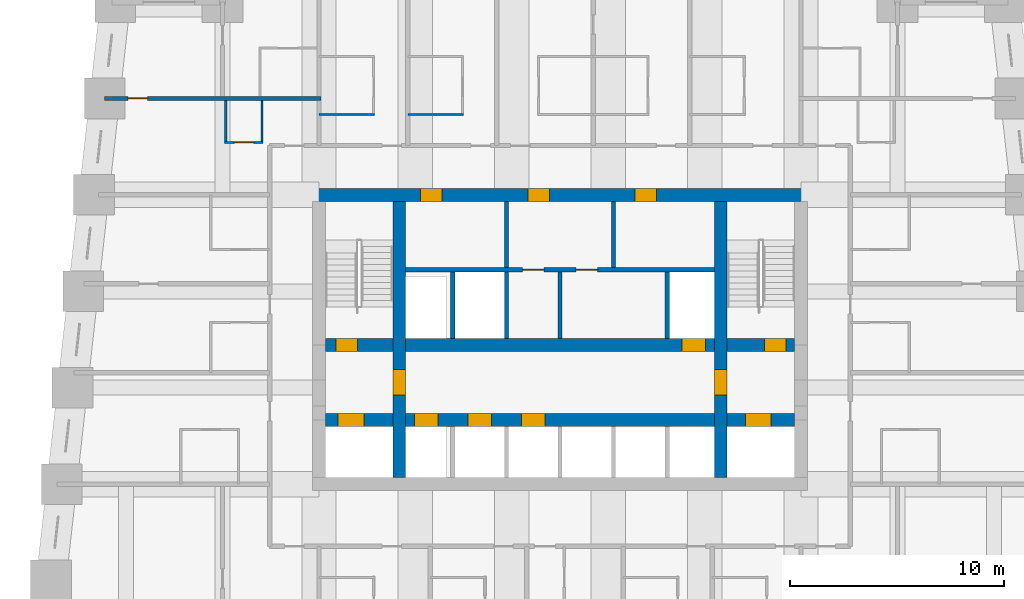
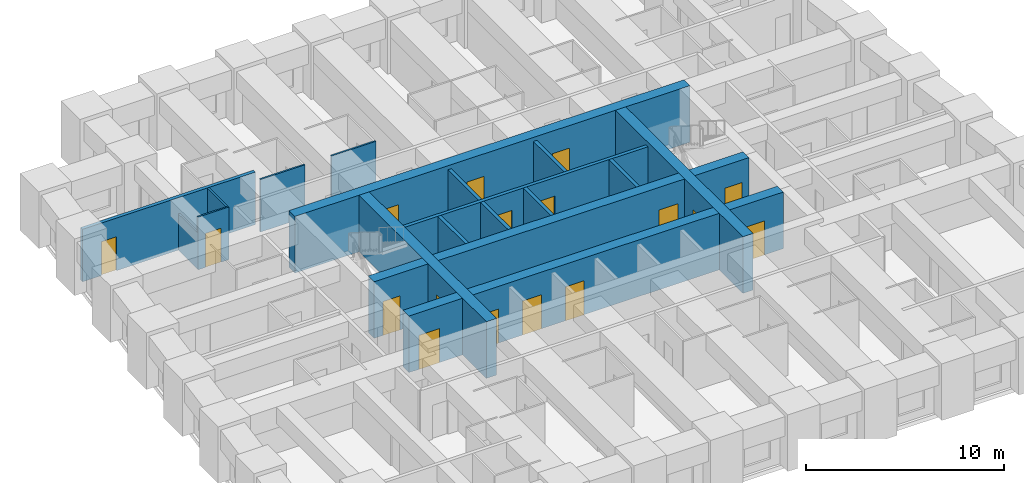
# One storey, part 4 of 8: 18 walls, 17 doors, 17 openings.
"""IFC4 building model written with IfcOpenShell, lengths in metres."""

from ifc_helpers import new_model, si_unit, direction, frame, frame_2d, origin, place, context, subcontext, project, spatial, rectangle, extrude, material, layer, layer_set, type_object, element, fill, save


model = new_model("IFC4")

# Units and contexts
model_context = context("Model", 3, precision=1e-05, world=origin(), true_north=direction((0.0, 1.0)))
body_context = subcontext(model_context, "Body", "Model", "MODEL_VIEW")
ifc_project = project(units=[si_unit("LENGTHUNIT", "METRE"), si_unit("AREAUNIT", "SQUARE_METRE"), si_unit("VOLUMEUNIT", "CUBIC_METRE"), si_unit("PLANEANGLEUNIT", "RADIAN"), si_unit("MASSUNIT", "GRAM", prefix="KILO")], contexts=[model_context])

# Site, building, storey
site_placement = place(None, origin())
site = spatial("IfcSite", under=ifc_project, at=site_placement, CompositionType="ELEMENT")
building_placement = place(site_placement, origin())
building = spatial("IfcBuilding", under=site, at=building_placement, Name="Kilele Tower Hotel", CompositionType="ELEMENT")
storey_placement = place(building_placement, frame((0.0, 0.0, 40.199951171875)))
storey = spatial("IfcBuildingStorey", under=building, at=storey_placement, Name="L08", CompositionType="ELEMENT", Elevation=40.199951171875)

# Walls
ifc_material_1 = material(Name="Moisture-resistant board")
ifc_layer_1 = layer(ifc_material_1, 0.10009765625)
ifc_layer_set_1 = layer_set([ifc_layer_1], Name="Moisture-resistant board")
wall_type_1 = type_object("IfcWallType", Name="Bathroom partition 100", PredefinedType="PLUMBINGWALL", material=ifc_layer_set_1)
for number, where, z_axis, x_axis, name in (
    (1, (13.5, 30.75, 0.0), (0.0, 0.0, 1.0), (1.0, 0.0, 0.0), "Bathroom partition 100 L08"),
    (2, (17.64990234375, 30.75, 0.0), (0.0, 0.0, 1.0), (1.0, 0.0, 0.0), "Bathroom partition 100 L08"),
):
    element("IfcWall", number, at=place(storey_placement, frame(where, z_axis=z_axis, x_axis=x_axis)), inside=storey, type_object=wall_type_1, Name=name, PredefinedType="PLUMBINGWALL", context=body_context, shape_type="SweptSolid", body=[
        extrude(rectangle(XDim=2.60009765625, YDim=0.10009765625, at=frame_2d((1.300048828125, 0.0))), origin(), (0.0, 0.0, 1.0), 3.25),
    ])
wall_1_placement = place(storey_placement, frame((9.14990234375, 31.39990234375, 0.0), z_axis=(0.0, 0.0, 1.0), x_axis=(0.0, -1.0, 0.0)))
element("IfcWall", 3, at=wall_1_placement, inside=storey, type_object=wall_type_1, Name="Bathroom partition 100 L08", PredefinedType="PLUMBINGWALL", context=body_context, shape_type="SweptSolid", body=[
    extrude(rectangle(XDim=2.0, YDim=0.10009765625, at=frame_2d((1.0, 0.0))), origin(), (0.0, 0.0, 1.0), 2.25),
])
wall_2_placement = place(storey_placement, frame((10.85009765625, 31.39990234375, 0.0), z_axis=(0.0, 0.0, 1.0), x_axis=(0.0, -1.0, 0.0)))
element("IfcWall", 4, at=wall_2_placement, inside=storey, type_object=wall_type_1, Name="Bathroom partition 100 L08", PredefinedType="PLUMBINGWALL", context=body_context, shape_type="SweptSolid", body=[
    extrude(rectangle(XDim=2.0, YDim=0.10009765625, at=frame_2d((1.0, 0.0))), origin(), (0.0, 0.0, 1.0), 3.25),
])

# Wall, opening, door
wall_3_placement = place(storey_placement, frame((10.89990234375, 29.449951171875, 0.0), z_axis=(0.0, 0.0, 1.0), x_axis=(-1.0, 0.0, 0.0)))
wall_3 = element("IfcWall", 5, at=wall_3_placement, inside=storey, type_object=wall_type_1, Name="Bathroom partition 100 L08", PredefinedType="PLUMBINGWALL", context=body_context, shape_type="SweptSolid", body=[
    extrude(rectangle(XDim=1.7998046875, YDim=0.10009765625, at=frame_2d((0.89990234375, 0.0))), origin(), (0.0, 0.0, 1.0), 3.25),
])
opening_1_placement = place(wall_3_placement, frame((0.449951171875, 0.0, 0.0)))
opening_1 = element("IfcOpeningElement", 6, at=opening_1_placement, cuts=wall_3, Name="Opening D2A", PredefinedType="OPENING", context=body_context, shape_type="SweptSolid", body=[
    extrude(rectangle(XDim=0.89990234375, YDim=2.10009765625, at=frame_2d((0.449951171875, 1.050048828125))), frame((0.0, 0.06005859375, 0.0), z_axis=(0.0, -1.0, 0.0), x_axis=(1.0, 0.0, 0.0)), (0.0, 0.0, 1.0), 0.1201171875),
])
ifc_material_2 = material(Name="Timber door leaf in hardwood frame", Category="wood")
door_type_1 = type_object("IfcDoorType", Name="Bathroom door 900", OperationType="SINGLE_SWING_LEFT", PredefinedType="DOOR", material=ifc_material_2)
door_1_placement = place(opening_1_placement, origin())
door_1 = element("IfcDoor", 7, at=door_1_placement, inside=storey, type_object=door_type_1, Name="Bathroom door 0826P", OperationType="SINGLE_SWING_LEFT", OverallHeight=2.10009765625, OverallWidth=0.89990234375, PredefinedType="DOOR", context=body_context, shape_type="SweptSolid", body=[
    extrude(rectangle(XDim=0.89990234375, YDim=2.10009765625, at=frame_2d((0.449951171875, 1.050048828125))), frame((0.0, 0.02490234375, 0.0), z_axis=(0.0, -1.0, 0.0), x_axis=(1.0, 0.0, 0.0)), (0.0, 0.0, 1.0), 0.050048828125),
])
fill(opening_1, door_1)

# Wall, openings, doors
ifc_material_3 = material(Name="Concrete C60/75", Category="concrete")
ifc_layer_2 = layer(ifc_material_3, 0.60009765625)
ifc_layer_set_2 = layer_set([ifc_layer_2], Name="Concrete C60/75")
wall_type_2 = type_object("IfcWallType", Name="Core wall 600 C60/75", PredefinedType="SHEAR", material=ifc_layer_set_2)
wall_4_placement = place(storey_placement, frame((36.300048828125, 27.0, 0.0), z_axis=(0.0, 0.0, 1.0), x_axis=(-1.0, 0.0, 0.0)))
wall_4 = element("IfcWall", 8, at=wall_4_placement, inside=storey, type_object=wall_type_2, Name="Core wall N L08", PredefinedType="SHEAR", context=body_context, shape_type="SweptSolid", body=[
    extrude(rectangle(XDim=23.10009765625, YDim=0.60009765625, at=frame_2d((11.550048828125, 0.0))), origin(), (0.0, 0.0, 1.0), 3.5),
])
opening_2_placement = place(wall_4_placement, frame((17.050048828125, 0.0, 0.0)))
opening_2 = element("IfcOpeningElement", 9, at=opening_2_placement, cuts=wall_4, Name="Opening D6", PredefinedType="OPENING", context=body_context, shape_type="SweptSolid", body=[
    extrude(rectangle(XDim=1.0, YDim=2.10009765625, at=frame_2d((0.5, 1.050048828125))), frame((0.0, 0.31005859375, 0.0), z_axis=(0.0, -1.0, 0.0), x_axis=(1.0, 0.0, 0.0)), (0.0, 0.0, 1.0), 0.6201171875),
])
opening_3_placement = place(wall_4_placement, frame((12.050048828125, 0.0, 0.0)))
opening_3 = element("IfcOpeningElement", 10, at=opening_3_placement, cuts=wall_4, Name="Opening D6", PredefinedType="OPENING", context=body_context, shape_type="SweptSolid", body=[
    extrude(rectangle(XDim=1.0, YDim=2.10009765625, at=frame_2d((0.5, 1.050048828125))), frame((0.0, 0.31005859375, 0.0), z_axis=(0.0, -1.0, 0.0), x_axis=(1.0, 0.0, 0.0)), (0.0, 0.0, 1.0), 0.6201171875),
])
opening_4_placement = place(wall_4_placement, frame((7.050048828125, 0.0, 0.0)))
opening_4 = element("IfcOpeningElement", 11, at=opening_4_placement, cuts=wall_4, Name="Opening D6", PredefinedType="OPENING", context=body_context, shape_type="SweptSolid", body=[
    extrude(rectangle(XDim=1.0, YDim=2.10009765625, at=frame_2d((0.5, 1.050048828125))), frame((0.0, 0.31005859375, 0.0), z_axis=(0.0, -1.0, 0.0), x_axis=(1.0, 0.0, 0.0)), (0.0, 0.0, 1.0), 0.6201171875),
])
ifc_material_4 = material(Name="Timber door leaf in hardwood frame", Category="wood")
door_type_2 = type_object("IfcDoorType", Name="Riser door 1000", OperationType="SINGLE_SWING_LEFT", PredefinedType="DOOR", material=ifc_material_4)
door_2_placement = place(opening_2_placement, origin())
door_2 = element("IfcDoor", 12, at=door_2_placement, inside=storey, type_object=door_type_2, Name="Service riser door L08", OperationType="SINGLE_SWING_RIGHT", OverallHeight=2.10009765625, OverallWidth=1.0, PredefinedType="DOOR", context=body_context, shape_type="SweptSolid", body=[
    extrude(rectangle(XDim=1.0, YDim=2.10009765625, at=frame_2d((0.5, 1.050048828125))), frame((0.0, 0.2998046875, 0.0), z_axis=(0.0, -1.0, 0.0), x_axis=(1.0, 0.0, 0.0)), (0.0, 0.0, 1.0), 0.599609375),
])
fill(opening_2, door_2)
door_3_placement = place(opening_3_placement, origin())
door_3 = element("IfcDoor", 13, at=door_3_placement, inside=storey, type_object=door_type_2, Name="Housekeeping store door L08", OperationType="SINGLE_SWING_RIGHT", OverallHeight=2.10009765625, OverallWidth=1.0, PredefinedType="DOOR", context=body_context, shape_type="SweptSolid", body=[
    extrude(rectangle(XDim=1.0, YDim=2.10009765625, at=frame_2d((0.5, 1.050048828125))), frame((0.0, 0.2998046875, 0.0), z_axis=(0.0, -1.0, 0.0), x_axis=(1.0, 0.0, 0.0)), (0.0, 0.0, 1.0), 0.599609375),
])
fill(opening_3, door_3)
door_4_placement = place(opening_4_placement, origin())
door_4 = element("IfcDoor", 14, at=door_4_placement, inside=storey, type_object=door_type_2, Name="Electrical riser door L08", OperationType="SINGLE_SWING_RIGHT", OverallHeight=2.10009765625, OverallWidth=1.0, PredefinedType="DOOR", context=body_context, shape_type="SweptSolid", body=[
    extrude(rectangle(XDim=1.0, YDim=2.10009765625, at=frame_2d((0.5, 1.050048828125))), frame((0.0, 0.2998046875, 0.0), z_axis=(0.0, -1.0, 0.0), x_axis=(1.0, 0.0, 0.0)), (0.0, 0.0, 1.0), 0.599609375),
])
fill(opening_4, door_4)

# Wall, opening, door
wall_5_placement = place(storey_placement, frame((17.25, 13.800048828125, 0.0), z_axis=(0.0, 0.0, 1.0), x_axis=(0.0, 1.0, 0.0)))
wall_5 = element("IfcWall", 15, at=wall_5_placement, inside=storey, type_object=wall_type_2, Name="Core wall IW L08", PredefinedType="SHEAR", context=body_context, shape_type="SweptSolid", body=[
    extrude(rectangle(XDim=12.89990234375, YDim=0.60009765625, at=frame_2d((6.449951171875, 0.0))), origin(), (0.0, 0.0, 1.0), 3.5),
])
opening_5_placement = place(wall_5_placement, frame((3.85009765625, 0.0, 0.0)))
opening_5 = element("IfcOpeningElement", 16, at=opening_5_placement, cuts=wall_5, Name="Opening D4", PredefinedType="OPENING", context=body_context, shape_type="SweptSolid", body=[
    extrude(rectangle(XDim=1.199951171875, YDim=2.10009765625, at=frame_2d((0.60009765625, 1.050048828125))), frame((0.0, 0.31005859375, 0.0), z_axis=(0.0, -1.0, 0.0), x_axis=(1.0, 0.0, 0.0)), (0.0, 0.0, 1.0), 0.6201171875),
])
ifc_material_5 = material(Name="Timber door leaf in hardwood frame", Category="wood")
door_type_3 = type_object("IfcDoorType", Name="Firefighting lobby door 1200", OperationType="SINGLE_SWING_LEFT", PredefinedType="DOOR", material=ifc_material_5)
door_5_placement = place(opening_5_placement, origin())
door_5 = element("IfcDoor", 17, at=door_5_placement, inside=storey, type_object=door_type_3, Name="Lobby door L08", OperationType="SINGLE_SWING_LEFT", OverallHeight=2.10009765625, OverallWidth=1.199951171875, PredefinedType="DOOR", context=body_context, shape_type="SweptSolid", body=[
    extrude(rectangle(XDim=1.199951171875, YDim=2.10009765625, at=frame_2d((0.60009765625, 1.050048828125))), frame((0.0, 0.2998046875, 0.0), z_axis=(0.0, -1.0, 0.0), x_axis=(1.0, 0.0, 0.0)), (0.0, 0.0, 1.0), 0.599609375),
])
fill(opening_5, door_5)

wall_6_placement = place(storey_placement, frame((32.25, 13.800048828125, 0.0), z_axis=(0.0, 0.0, 1.0), x_axis=(0.0, 1.0, 0.0)))
wall_6 = element("IfcWall", 18, at=wall_6_placement, inside=storey, type_object=wall_type_2, Name="Core wall IE L08", PredefinedType="SHEAR", context=body_context, shape_type="SweptSolid", body=[
    extrude(rectangle(XDim=12.89990234375, YDim=0.60009765625, at=frame_2d((6.449951171875, 0.0))), origin(), (0.0, 0.0, 1.0), 3.5),
])
opening_6_placement = place(wall_6_placement, frame((5.050048828125, 0.0, 0.0), z_axis=(0.0, 0.0, 1.0), x_axis=(-1.0, 0.0, 0.0)))
opening_6 = element("IfcOpeningElement", 19, at=opening_6_placement, cuts=wall_6, Name="Opening D4", PredefinedType="OPENING", context=body_context, shape_type="SweptSolid", body=[
    extrude(rectangle(XDim=1.199951171875, YDim=2.10009765625, at=frame_2d((0.60009765625, 1.050048828125))), frame((0.0, 0.31005859375, 0.0), z_axis=(0.0, -1.0, 0.0), x_axis=(1.0, 0.0, 0.0)), (0.0, 0.0, 1.0), 0.6201171875),
])
door_6_placement = place(opening_6_placement, origin())
door_6 = element("IfcDoor", 20, at=door_6_placement, inside=storey, type_object=door_type_3, Name="Lobby door L08", OperationType="SINGLE_SWING_RIGHT", OverallHeight=2.10009765625, OverallWidth=1.199951171875, PredefinedType="DOOR", context=body_context, shape_type="SweptSolid", body=[
    extrude(rectangle(XDim=1.199951171875, YDim=2.10009765625, at=frame_2d((0.60009765625, 1.050048828125))), frame((0.0, 0.2998046875, 0.0), z_axis=(0.0, -1.0, 0.0), x_axis=(1.0, 0.0, 0.0)), (0.0, 0.0, 1.0), 0.599609375),
])
fill(opening_6, door_6)

# Wall, openings, doors
wall_7_placement = place(storey_placement, frame((13.800048828125, 16.5, 0.0), z_axis=(0.0, 0.0, 1.0), x_axis=(1.0, 0.0, 0.0)))
wall_7 = element("IfcWall", 21, at=wall_7_placement, inside=storey, type_object=wall_type_2, Name="Core wall LS L08", PredefinedType="SHEAR", context=body_context, shape_type="SweptSolid", body=[
    extrude(rectangle(XDim=21.89990234375, YDim=0.60009765625, at=frame_2d((10.949951171875, 0.0))), origin(), (0.0, 0.0, 1.0), 3.5),
])
opening_7_placement = place(wall_7_placement, frame((4.14990234375, 0.0, 0.0)))
opening_7 = element("IfcOpeningElement", 22, at=opening_7_placement, cuts=wall_7, Name="Opening LD1", PredefinedType="OPENING", context=body_context, shape_type="SweptSolid", body=[
    extrude(rectangle(XDim=1.10009765625, YDim=2.10009765625, at=frame_2d((0.550048828125, 1.050048828125))), frame((0.0, 0.31005859375, 0.0), z_axis=(0.0, -1.0, 0.0), x_axis=(1.0, 0.0, 0.0)), (0.0, 0.0, 1.0), 0.6201171875),
])
opening_8_placement = place(wall_7_placement, frame((6.64990234375, 0.0, 0.0)))
opening_8 = element("IfcOpeningElement", 23, at=opening_8_placement, cuts=wall_7, Name="Opening LD1", PredefinedType="OPENING", context=body_context, shape_type="SweptSolid", body=[
    extrude(rectangle(XDim=1.10009765625, YDim=2.10009765625, at=frame_2d((0.550048828125, 1.050048828125))), frame((0.0, 0.31005859375, 0.0), z_axis=(0.0, -1.0, 0.0), x_axis=(1.0, 0.0, 0.0)), (0.0, 0.0, 1.0), 0.6201171875),
])
opening_9_placement = place(wall_7_placement, frame((9.14990234375, 0.0, 0.0)))
opening_9 = element("IfcOpeningElement", 24, at=opening_9_placement, cuts=wall_7, Name="Opening LD1", PredefinedType="OPENING", context=body_context, shape_type="SweptSolid", body=[
    extrude(rectangle(XDim=1.10009765625, YDim=2.10009765625, at=frame_2d((0.550048828125, 1.050048828125))), frame((0.0, 0.31005859375, 0.0), z_axis=(0.0, -1.0, 0.0), x_axis=(1.0, 0.0, 0.0)), (0.0, 0.0, 1.0), 0.6201171875),
])
opening_10_placement = place(wall_7_placement, frame((0.60009765625, 0.0, 0.0)))
opening_10 = element("IfcOpeningElement", 25, at=opening_10_placement, cuts=wall_7, Name="Opening LD2", PredefinedType="OPENING", context=body_context, shape_type="SweptSolid", body=[
    extrude(rectangle(XDim=1.199951171875, YDim=2.10009765625, at=frame_2d((0.60009765625, 1.050048828125))), frame((0.0, 0.31005859375, 0.0), z_axis=(0.0, -1.0, 0.0), x_axis=(1.0, 0.0, 0.0)), (0.0, 0.0, 1.0), 0.6201171875),
])
opening_11_placement = place(wall_7_placement, frame((19.60009765625, 0.0, 0.0)))
opening_11 = element("IfcOpeningElement", 26, at=opening_11_placement, cuts=wall_7, Name="Opening LD2", PredefinedType="OPENING", context=body_context, shape_type="SweptSolid", body=[
    extrude(rectangle(XDim=1.199951171875, YDim=2.10009765625, at=frame_2d((0.60009765625, 1.050048828125))), frame((0.0, 0.31005859375, 0.0), z_axis=(0.0, -1.0, 0.0), x_axis=(1.0, 0.0, 0.0)), (0.0, 0.0, 1.0), 0.6201171875),
])
ifc_material_6 = material(Name="Steel lift landing door", Category="steel")
door_type_4 = type_object("IfcDoorType", Name="Firefighting lift landing door 1200", OperationType="SLIDING_TO_LEFT", PredefinedType="DOOR", material=ifc_material_6)
door_7_placement = place(opening_10_placement, origin())
door_7 = element("IfcDoor", 27, at=door_7_placement, inside=storey, type_object=door_type_4, Name="Landing door FFW L08", OperationType="SLIDING_TO_LEFT", OverallHeight=2.10009765625, OverallWidth=1.199951171875, PredefinedType="DOOR", context=body_context, shape_type="SweptSolid", body=[
    extrude(rectangle(XDim=1.199951171875, YDim=2.10009765625, at=frame_2d((0.60009765625, 1.050048828125))), frame((0.0, 0.2998046875, 0.0), z_axis=(0.0, -1.0, 0.0), x_axis=(1.0, 0.0, 0.0)), (0.0, 0.0, 1.0), 0.599609375),
])
fill(opening_10, door_7)
door_8_placement = place(opening_11_placement, origin())
door_8 = element("IfcDoor", 28, at=door_8_placement, inside=storey, type_object=door_type_4, Name="Landing door FFE L08", OperationType="SLIDING_TO_LEFT", OverallHeight=2.10009765625, OverallWidth=1.199951171875, PredefinedType="DOOR", context=body_context, shape_type="SweptSolid", body=[
    extrude(rectangle(XDim=1.199951171875, YDim=2.10009765625, at=frame_2d((0.60009765625, 1.050048828125))), frame((0.0, 0.2998046875, 0.0), z_axis=(0.0, -1.0, 0.0), x_axis=(1.0, 0.0, 0.0)), (0.0, 0.0, 1.0), 0.599609375),
])
fill(opening_11, door_8)
ifc_material_7 = material(Name="Steel lift landing door", Category="steel")
door_type_5 = type_object("IfcDoorType", Name="Lift landing door 1100", OperationType="SLIDING_TO_LEFT", PredefinedType="DOOR", material=ifc_material_7)
door_9_placement = place(opening_7_placement, origin())
door_9 = element("IfcDoor", 29, at=door_9_placement, inside=storey, type_object=door_type_5, Name="Landing door L1 L08", OperationType="SLIDING_TO_LEFT", OverallHeight=2.10009765625, OverallWidth=1.10009765625, PredefinedType="DOOR", context=body_context, shape_type="SweptSolid", body=[
    extrude(rectangle(XDim=1.10009765625, YDim=2.10009765625, at=frame_2d((0.550048828125, 1.050048828125))), frame((0.0, 0.2998046875, 0.0), z_axis=(0.0, -1.0, 0.0), x_axis=(1.0, 0.0, 0.0)), (0.0, 0.0, 1.0), 0.599609375),
])
fill(opening_7, door_9)
door_10_placement = place(opening_8_placement, origin())
door_10 = element("IfcDoor", 30, at=door_10_placement, inside=storey, type_object=door_type_5, Name="Landing door L2 L08", OperationType="SLIDING_TO_LEFT", OverallHeight=2.10009765625, OverallWidth=1.10009765625, PredefinedType="DOOR", context=body_context, shape_type="SweptSolid", body=[
    extrude(rectangle(XDim=1.10009765625, YDim=2.10009765625, at=frame_2d((0.550048828125, 1.050048828125))), frame((0.0, 0.2998046875, 0.0), z_axis=(0.0, -1.0, 0.0), x_axis=(1.0, 0.0, 0.0)), (0.0, 0.0, 1.0), 0.599609375),
])
fill(opening_8, door_10)
door_11_placement = place(opening_9_placement, origin())
door_11 = element("IfcDoor", 31, at=door_11_placement, inside=storey, type_object=door_type_5, Name="Landing door L3 L08", OperationType="SLIDING_TO_LEFT", OverallHeight=2.10009765625, OverallWidth=1.10009765625, PredefinedType="DOOR", context=body_context, shape_type="SweptSolid", body=[
    extrude(rectangle(XDim=1.10009765625, YDim=2.10009765625, at=frame_2d((0.550048828125, 1.050048828125))), frame((0.0, 0.2998046875, 0.0), z_axis=(0.0, -1.0, 0.0), x_axis=(1.0, 0.0, 0.0)), (0.0, 0.0, 1.0), 0.599609375),
])
fill(opening_9, door_11)

wall_8_placement = place(storey_placement, frame((13.800048828125, 20.0, 0.0), z_axis=(0.0, 0.0, 1.0), x_axis=(1.0, 0.0, 0.0)))
wall_8 = element("IfcWall", 32, at=wall_8_placement, inside=storey, type_object=wall_type_2, Name="Core wall LN L08", PredefinedType="SHEAR", context=body_context, shape_type="SweptSolid", body=[
    extrude(rectangle(XDim=21.89990234375, YDim=0.60009765625, at=frame_2d((10.949951171875, 0.0))), origin(), (0.0, 0.0, 1.0), 3.5),
])
opening_12_placement = place(wall_8_placement, frame((0.5, 0.0, 0.0)))
opening_12 = element("IfcOpeningElement", 33, at=opening_12_placement, cuts=wall_8, Name="Opening D5", PredefinedType="OPENING", context=body_context, shape_type="SweptSolid", body=[
    extrude(rectangle(XDim=1.0, YDim=2.10009765625, at=frame_2d((0.5, 1.050048828125))), frame((0.0, 0.31005859375, 0.0), z_axis=(0.0, -1.0, 0.0), x_axis=(1.0, 0.0, 0.0)), (0.0, 0.0, 1.0), 0.6201171875),
])
opening_13_placement = place(wall_8_placement, frame((20.5, 0.0, 0.0)))
opening_13 = element("IfcOpeningElement", 34, at=opening_13_placement, cuts=wall_8, Name="Opening D5", PredefinedType="OPENING", context=body_context, shape_type="SweptSolid", body=[
    extrude(rectangle(XDim=1.0, YDim=2.10009765625, at=frame_2d((0.5, 1.050048828125))), frame((0.0, 0.31005859375, 0.0), z_axis=(0.0, -1.0, 0.0), x_axis=(1.0, 0.0, 0.0)), (0.0, 0.0, 1.0), 0.6201171875),
])
opening_14_placement = place(wall_8_placement, frame((16.64990234375, 0.0, 0.0)))
opening_14 = element("IfcOpeningElement", 35, at=opening_14_placement, cuts=wall_8, Name="Opening LD1", PredefinedType="OPENING", context=body_context, shape_type="SweptSolid", body=[
    extrude(rectangle(XDim=1.10009765625, YDim=2.10009765625, at=frame_2d((0.550048828125, 1.050048828125))), frame((0.0, 0.31005859375, 0.0), z_axis=(0.0, -1.0, 0.0), x_axis=(1.0, 0.0, 0.0)), (0.0, 0.0, 1.0), 0.6201171875),
])
door_12_placement = place(opening_14_placement, origin())
door_12 = element("IfcDoor", 36, at=door_12_placement, inside=storey, type_object=door_type_5, Name="Landing door G1 L08", OperationType="SLIDING_TO_LEFT", OverallHeight=2.10009765625, OverallWidth=1.10009765625, PredefinedType="DOOR", context=body_context, shape_type="SweptSolid", body=[
    extrude(rectangle(XDim=1.10009765625, YDim=2.10009765625, at=frame_2d((0.550048828125, 1.050048828125))), frame((0.0, 0.2998046875, 0.0), z_axis=(0.0, -1.0, 0.0), x_axis=(1.0, 0.0, 0.0)), (0.0, 0.0, 1.0), 0.599609375),
])
fill(opening_14, door_12)
ifc_material_8 = material(Name="Timber door leaf in hardwood frame", Category="wood")
door_type_6 = type_object("IfcDoorType", Name="Stair door 1000", OperationType="SINGLE_SWING_LEFT", PredefinedType="DOOR", material=ifc_material_8)
door_13_placement = place(opening_12_placement, origin())
door_13 = element("IfcDoor", 37, at=door_13_placement, inside=storey, type_object=door_type_6, Name="Stair 1 door L08", OperationType="SINGLE_SWING_LEFT", OverallHeight=2.10009765625, OverallWidth=1.0, PredefinedType="DOOR", context=body_context, shape_type="SweptSolid", body=[
    extrude(rectangle(XDim=1.0, YDim=2.10009765625, at=frame_2d((0.5, 1.050048828125))), frame((0.0, 0.2998046875, 0.0), z_axis=(0.0, -1.0, 0.0), x_axis=(1.0, 0.0, 0.0)), (0.0, 0.0, 1.0), 0.599609375),
])
fill(opening_12, door_13)
door_14_placement = place(opening_13_placement, origin())
door_14 = element("IfcDoor", 38, at=door_14_placement, inside=storey, type_object=door_type_6, Name="Stair 2 door L08", OperationType="SINGLE_SWING_RIGHT", OverallHeight=2.10009765625, OverallWidth=1.0, PredefinedType="DOOR", context=body_context, shape_type="SweptSolid", body=[
    extrude(rectangle(XDim=1.0, YDim=2.10009765625, at=frame_2d((0.5, 1.050048828125))), frame((0.0, 0.2998046875, 0.0), z_axis=(0.0, -1.0, 0.0), x_axis=(1.0, 0.0, 0.0)), (0.0, 0.0, 1.0), 0.599609375),
])
fill(opening_13, door_14)

# Wall, opening, door
ifc_material_9 = material(Name="Blockwork, plastered both sides", Category="masonry")
ifc_layer_3 = layer(ifc_material_9, 0.199951171875)
ifc_layer_set_3 = layer_set([ifc_layer_3], Name="Blockwork, plastered both sides")
wall_type_3 = type_object("IfcWallType", Name="Party wall 200", PredefinedType="PARTITIONING", material=ifc_layer_set_3)
wall_9_placement = place(storey_placement, frame((13.60009765625, 31.5, 0.0), z_axis=(0.0, 0.0, 1.0), x_axis=(-1.0, 0.0, 0.0)))
wall_9 = element("IfcWall", 39, at=wall_9_placement, inside=storey, type_object=wall_type_3, Name="Party wall 200 L08", PredefinedType="PARTITIONING", context=body_context, shape_type="SweptSolid", body=[
    extrude(rectangle(XDim=10.09912109375, YDim=0.199951171875, at=frame_2d((5.049560546875, 0.0))), origin(), (0.0, 0.0, 1.0), 3.25),
])
opening_15_placement = place(wall_9_placement, frame((8.9990234375, 0.0, 0.0), z_axis=(0.0, 0.0, 1.0), x_axis=(-1.0, 0.0, 0.0)))
opening_15 = element("IfcOpeningElement", 40, at=opening_15_placement, cuts=wall_9, Name="Opening D3", PredefinedType="OPENING", context=body_context, shape_type="SweptSolid", body=[
    extrude(rectangle(XDim=0.89990234375, YDim=2.10009765625, at=frame_2d((0.449951171875, 1.050048828125))), frame((0.0, 0.10986328125, 0.0), z_axis=(0.0, -1.0, 0.0), x_axis=(1.0, 0.0, 0.0)), (0.0, 0.0, 1.0), 0.219970703125),
])
ifc_material_10 = material(Name="Timber door leaf in hardwood frame", Category="wood")
door_type_7 = type_object("IfcDoorType", Name="Suite internal door 900", OperationType="SINGLE_SWING_LEFT", PredefinedType="DOOR", material=ifc_material_10)
door_15_placement = place(opening_15_placement, origin())
door_15 = element("IfcDoor", 41, at=door_15_placement, inside=storey, type_object=door_type_7, Name="Suite door 0827", OperationType="SINGLE_SWING_LEFT", OverallHeight=2.10009765625, OverallWidth=0.89990234375, PredefinedType="DOOR", context=body_context, shape_type="SweptSolid", body=[
    extrude(rectangle(XDim=0.89990234375, YDim=2.10009765625, at=frame_2d((0.449951171875, 1.050048828125))), frame((0.0, 0.02490234375, 0.0), z_axis=(0.0, -1.0, 0.0), x_axis=(1.0, 0.0, 0.0)), (0.0, 0.0, 1.0), 0.050048828125),
])
fill(opening_15, door_15)

# Walls
ifc_material_11 = material(Name="Blockwork, fire-rated", Category="masonry")
ifc_layer_4 = layer(ifc_material_11, 0.199951171875)
ifc_layer_set_4 = layer_set([ifc_layer_4], Name="Blockwork, fire-rated")
wall_type_4 = type_object("IfcWallType", Name="Shaft wall 200", PredefinedType="PARTITIONING", material=ifc_layer_set_4)
for number, where, z_axis, x_axis, name in (
    (42, (19.75, 20.300048828125, 0.0), (0.0, 0.0, 1.0), (0.0, 1.0, 0.0), "Shaft wall 200 L08"),
    (43, (22.25, 20.300048828125, 0.0), (0.0, 0.0, 1.0), (0.0, 1.0, 0.0), "Shaft wall 200 L08"),
    (44, (24.75, 20.300048828125, 0.0), (0.0, 0.0, 1.0), (0.0, 1.0, 0.0), "Shaft wall 200 L08"),
    (45, (29.75, 20.300048828125, 0.0), (0.0, 0.0, 1.0), (0.0, 1.0, 0.0), "Shaft wall 200 L08"),
):
    element("IfcWall", number, at=place(storey_placement, frame(where, z_axis=z_axis, x_axis=x_axis)), inside=storey, type_object=wall_type_4, Name=name, PredefinedType="PARTITIONING", context=body_context, shape_type="SweptSolid", body=[
        extrude(rectangle(XDim=3.099853515625, YDim=0.199951171875, at=frame_2d((1.5498046875, 0.0))), origin(), (0.0, 0.0, 1.0), 3.25),
    ])

# Wall, openings, doors
wall_10_placement = place(storey_placement, frame((17.550048828125, 23.5, 0.0), z_axis=(0.0, 0.0, 1.0), x_axis=(1.0, 0.0, 0.0)))
wall_10 = element("IfcWall", 46, at=wall_10_placement, inside=storey, type_object=wall_type_4, Name="Shaft wall 200 L08", PredefinedType="PARTITIONING", context=body_context, shape_type="SweptSolid", body=[
    extrude(rectangle(XDim=14.39990234375, YDim=0.199951171875, at=frame_2d((7.199951171875, 0.0))), origin(), (0.0, 0.0, 1.0), 3.25),
])
opening_16_placement = place(wall_10_placement, frame((6.449951171875, 0.0, 0.0), z_axis=(0.0, 0.0, 1.0), x_axis=(-1.0, 0.0, 0.0)))
opening_16 = element("IfcOpeningElement", 47, at=opening_16_placement, cuts=wall_10, Name="Opening D11", PredefinedType="OPENING", context=body_context, shape_type="SweptSolid", body=[
    extrude(rectangle(XDim=1.0, YDim=2.10009765625, at=frame_2d((0.5, 1.050048828125))), frame((0.0, 0.10986328125, 0.0), z_axis=(0.0, -1.0, 0.0), x_axis=(1.0, 0.0, 0.0)), (0.0, 0.0, 1.0), 0.219970703125),
])
opening_17_placement = place(wall_10_placement, frame((7.949951171875, 0.0, 0.0)))
opening_17 = element("IfcOpeningElement", 48, at=opening_17_placement, cuts=wall_10, Name="Opening D11", PredefinedType="OPENING", context=body_context, shape_type="SweptSolid", body=[
    extrude(rectangle(XDim=1.0, YDim=2.10009765625, at=frame_2d((0.5, 1.050048828125))), frame((0.0, 0.10986328125, 0.0), z_axis=(0.0, -1.0, 0.0), x_axis=(1.0, 0.0, 0.0)), (0.0, 0.0, 1.0), 0.219970703125),
])
ifc_material_12 = material(Name="Timber door leaf in hardwood frame", Category="wood")
door_type_8 = type_object("IfcDoorType", Name="Core store door 1000", OperationType="SINGLE_SWING_LEFT", PredefinedType="DOOR", material=ifc_material_12)
door_16_placement = place(opening_16_placement, origin())
door_16 = element("IfcDoor", 49, at=door_16_placement, inside=storey, type_object=door_type_8, Name="Core room door H1", OperationType="SINGLE_SWING_RIGHT", OverallHeight=2.10009765625, OverallWidth=1.0, PredefinedType="DOOR", context=body_context, shape_type="SweptSolid", body=[
    extrude(rectangle(XDim=1.0, YDim=2.10009765625, at=frame_2d((0.5, 1.050048828125))), frame((0.0, 0.02490234375, 0.0), z_axis=(0.0, -1.0, 0.0), x_axis=(1.0, 0.0, 0.0)), (0.0, 0.0, 1.0), 0.050048828125),
])
fill(opening_16, door_16)
door_17_placement = place(opening_17_placement, origin())
door_17 = element("IfcDoor", 50, at=door_17_placement, inside=storey, type_object=door_type_8, Name="Core room door H2", OperationType="SINGLE_SWING_RIGHT", OverallHeight=2.10009765625, OverallWidth=1.0, PredefinedType="DOOR", context=body_context, shape_type="SweptSolid", body=[
    extrude(rectangle(XDim=1.0, YDim=2.10009765625, at=frame_2d((0.5, 1.050048828125))), frame((0.0, 0.02490234375, 0.0), z_axis=(0.0, -1.0, 0.0), x_axis=(1.0, 0.0, 0.0)), (0.0, 0.0, 1.0), 0.050048828125),
])
fill(opening_17, door_17)

# Walls
for number, where, z_axis, x_axis, name in (
    (51, (22.25, 23.60009765625, 0.0), (0.0, 0.0, 1.0), (0.0, 1.0, 0.0), "Shaft wall 200 L08"),
    (52, (27.25, 23.60009765625, 0.0), (0.0, 0.0, 1.0), (0.0, 1.0, 0.0), "Shaft wall 200 L08"),
):
    element("IfcWall", number, at=place(storey_placement, frame(where, z_axis=z_axis, x_axis=x_axis)), inside=storey, type_object=wall_type_4, Name=name, PredefinedType="PARTITIONING", context=body_context, shape_type="SweptSolid", body=[
        extrude(rectangle(XDim=3.099853515625, YDim=0.199951171875, at=frame_2d((1.5498046875, 0.0))), origin(), (0.0, 0.0, 1.0), 3.25),
    ])

save(model, "model.ifc")
